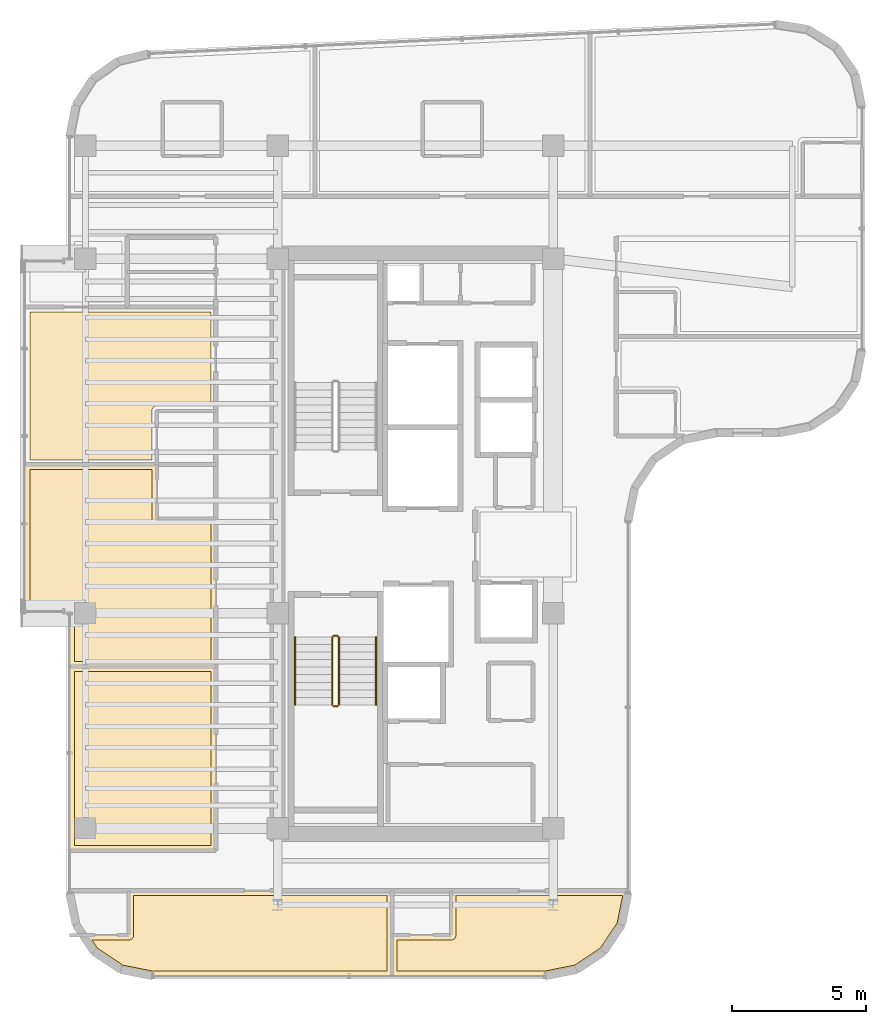
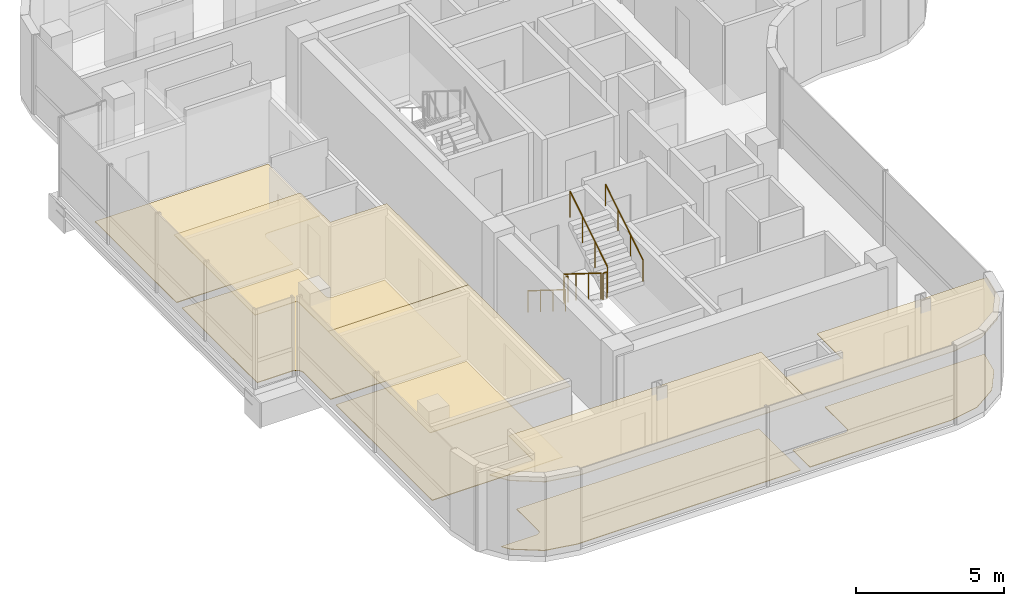
# One storey, part 18 of 20: 9 coverings, 6 railings.
"""IFC4 building model written with IfcOpenShell, lengths in metres."""

from ifc_helpers import new_model, si_unit, direction, frame, origin, origin_2d, place, context, subcontext, project, spatial, polyline, circle, outline, extrude, material, layer, layer_set, type_object, element, save


model = new_model("IFC4")

# Units and contexts
model_context = context("Model", 3, precision=1e-05, world=origin(), true_north=direction((0.0, 1.0)))
body_context = subcontext(model_context, "Body", "Model", "MODEL_VIEW")
ifc_project = project(units=[si_unit("LENGTHUNIT", "METRE"), si_unit("AREAUNIT", "SQUARE_METRE"), si_unit("VOLUMEUNIT", "CUBIC_METRE"), si_unit("PLANEANGLEUNIT", "RADIAN"), si_unit("MASSUNIT", "GRAM", prefix="KILO")], contexts=[model_context])

# Site, building, storey
site_placement = place(None, origin())
site = spatial("IfcSite", under=ifc_project, at=site_placement, CompositionType="ELEMENT")
building_placement = place(site_placement, origin())
building = spatial("IfcBuilding", under=site, at=building_placement, Name="Valdorenza Pilgrim Sanctuary Tower", CompositionType="ELEMENT")
storey_placement = place(building_placement, frame((0.0, 0.0, 240.5)))
storey = spatial("IfcBuildingStorey", under=building, at=storey_placement, Name="L62", CompositionType="ELEMENT", Elevation=240.5)

# Coverings
ifc_material_1 = material(Name="Micro-perforated acoustic mineral ceiling tile", Category="gypsum")
ifc_layer_1 = layer(ifc_material_1, 0.02490234375, Name="Micro-perforated acoustic mineral ceiling tile")
ifc_layer_set_1 = layer_set([ifc_layer_1], Name="Micro-perforated acoustic mineral ceiling tile")
covering_type_1 = type_object("IfcCoveringType", Name="COV-CLG-ACU", PredefinedType="CEILING", material=ifc_layer_set_1)
covering_1_placement = place(storey_placement, frame((0.0, 0.0, 2.9599609375)))
element("IfcCovering", 1, at=covering_1_placement, inside=storey, type_object=covering_type_1, Name="L62 Pilgrim Language Classroom L62 Acoustic Ceiling", PredefinedType="CEILING", context=body_context, shape_type="SweptSolid", body=[
    extrude(outline(polyline([(-24.93505859375, -11.419921875), (-24.93505859375, -11.42138671875), (-24.935302734375, -11.4228515625), (-24.935546875, -11.42431640625), (-24.93603515625, -11.42578125), (-24.936767578125, -11.427001953125), (-24.9375, -11.42822265625), (-24.9384765625, -11.429443359375), (-24.939453125, -11.4306640625), (-24.9404296875, -11.431640625), (-24.941650390625, -11.4326171875), (-24.94287109375, -11.43310546875), (-24.9443359375, -11.433837890625), (-24.945556640625, -11.434326171875), (-24.947021484375, -11.434814453125), (-24.948486328125, -11.434814453125), (-24.949951171875, -11.43505859375), (-30.389892578125, -11.43505859375), (-30.3916015625, -11.434814453125), (-30.392822265625, -11.434814453125), (-30.394287109375, -11.434326171875), (-30.395751953125, -11.433837890625), (-30.397216796875, -11.43310546875), (-30.398193359375, -11.4326171875), (-30.3994140625, -11.431640625), (-30.400634765625, -11.4306640625), (-30.401611328125, -11.429443359375), (-30.402587890625, -11.42822265625), (-30.4033203125, -11.427001953125), (-30.40380859375, -11.42578125), (-30.404296875, -11.42431640625), (-30.40478515625, -11.4228515625), (-30.40478515625, -11.42138671875), (-30.405029296875, -11.419921875), (-30.405029296875, -4.577880859375), (-30.40478515625, -4.576416015625), (-30.40478515625, -4.5751953125), (-30.404296875, -4.573486328125), (-30.40380859375, -4.572265625), (-30.4033203125, -4.57080078125), (-30.402587890625, -4.569580078125), (-30.401611328125, -4.568603515625), (-30.400634765625, -4.5673828125), (-30.3994140625, -4.56640625), (-30.398193359375, -4.5654296875), (-30.397216796875, -4.564697265625), (-30.395751953125, -4.564208984375), (-30.394287109375, -4.563720703125), (-30.392822265625, -4.563232421875), (-30.3916015625, -4.56298828125), (-30.389892578125, -4.56298828125), (-24.949951171875, -4.56298828125), (-24.948486328125, -4.56298828125), (-24.947021484375, -4.563232421875), (-24.945556640625, -4.563720703125), (-24.9443359375, -4.564208984375), (-24.94287109375, -4.564697265625), (-24.941650390625, -4.5654296875), (-24.9404296875, -4.56640625), (-24.939453125, -4.5673828125), (-24.9384765625, -4.568603515625), (-24.9375, -4.569580078125), (-24.936767578125, -4.57080078125), (-24.93603515625, -4.572265625), (-24.935546875, -4.573486328125), (-24.935302734375, -4.5751953125), (-24.93505859375, -4.576416015625), (-24.93505859375, -4.577880859375), (-24.93505859375, -11.419921875)])), origin(), (0.0, 0.0, 1.0), 0.025146484375),
])
covering_2_placement = place(storey_placement, frame((0.0, 0.0, 2.9599609375)))
element("IfcCovering", 2, at=covering_2_placement, inside=storey, type_object=covering_type_1, Name="L62 Pilgrim Guest Room L62-HW1 Acoustic Ceiling", PredefinedType="CEILING", context=body_context, shape_type="SweptSolid", body=[
    extrude(outline(polyline([(-30.405029296875, -2.600341796875), (-30.405517578125, -2.5908203125), (-30.40673828125, -2.58154296875), (-30.4091796875, -2.572509765625), (-30.412109375, -2.563720703125), (-30.416259765625, -2.55517578125), (-30.4208984375, -2.547119140625), (-30.426513671875, -2.539794921875), (-30.432861328125, -2.53271484375), (-30.439697265625, -2.526611328125), (-30.447265625, -2.52099609375), (-30.455078125, -2.51611328125), (-30.463623046875, -2.51220703125), (-30.472412109375, -2.509033203125), (-30.4814453125, -2.5068359375), (-30.49072265625, -2.505615234375), (-30.50048828125, -2.5048828125), (-32.0400390625, -2.5048828125), (-32.04150390625, -2.5048828125), (-32.04296875, -2.504638671875), (-32.04443359375, -2.50439453125), (-32.045654296875, -2.50390625), (-32.047119140625, -2.503173828125), (-32.04833984375, -2.50244140625), (-32.049560546875, -2.501708984375), (-32.050537109375, -2.50048828125), (-32.051513671875, -2.49951171875), (-32.052490234375, -2.498291015625), (-32.05322265625, -2.4970703125), (-32.053955078125, -2.49560546875), (-32.054443359375, -2.494384765625), (-32.0546875, -2.492919921875), (-32.054931640625, -2.491455078125), (-32.054931640625, -2.489990234375), (-32.054931640625, 2.93603515625), (-32.054931640625, 2.9375), (-32.0546875, 2.93896484375), (-32.054443359375, 2.9404296875), (-32.053955078125, 2.941650390625), (-32.05322265625, 2.943115234375), (-32.052490234375, 2.9443359375), (-32.051513671875, 2.945556640625), (-32.050537109375, 2.946533203125), (-32.049560546875, 2.947509765625), (-32.04833984375, 2.948486328125), (-32.047119140625, 2.94921875), (-32.045654296875, 2.949951171875), (-32.04443359375, 2.950439453125), (-32.04296875, 2.95068359375), (-32.04150390625, 2.950927734375), (-32.0400390625, 2.950927734375), (-27.152099609375, 2.950927734375), (-27.150390625, 2.950927734375), (-27.149169921875, 2.95068359375), (-27.147705078125, 2.950439453125), (-27.146240234375, 2.949951171875), (-27.14501953125, 2.94921875), (-27.143798828125, 2.948486328125), (-27.142578125, 2.947509765625), (-27.141357421875, 2.946533203125), (-27.140380859375, 2.945556640625), (-27.139404296875, 2.9443359375), (-27.138916015625, 2.943115234375), (-27.13818359375, 2.941650390625), (-27.1376953125, 2.9404296875), (-27.13720703125, 2.93896484375), (-27.13720703125, 2.9375), (-27.136962890625, 2.93603515625), (-27.136962890625, 0.948974609375), (-24.949951171875, 0.948974609375), (-24.948486328125, 0.948974609375), (-24.947021484375, 0.94873046875), (-24.945556640625, 0.948486328125), (-24.9443359375, 0.947998046875), (-24.94287109375, 0.947265625), (-24.941650390625, 0.946533203125), (-24.9404296875, 0.945556640625), (-24.939453125, 0.944580078125), (-24.9384765625, 0.943603515625), (-24.9375, 0.9423828125), (-24.936767578125, 0.941162109375), (-24.93603515625, 0.939697265625), (-24.935546875, 0.9384765625), (-24.935302734375, 0.93701171875), (-24.93505859375, 0.935546875), (-24.93505859375, 0.93408203125), (-24.93505859375, -4.575927734375), (-24.93505859375, -4.577392578125), (-24.935302734375, -4.578857421875), (-24.935546875, -4.580322265625), (-24.93603515625, -4.581787109375), (-24.936767578125, -4.5830078125), (-24.9375, -4.584228515625), (-24.9384765625, -4.58544921875), (-24.939453125, -4.586669921875), (-24.9404296875, -4.587646484375), (-24.941650390625, -4.58837890625), (-24.94287109375, -4.589111328125), (-24.9443359375, -4.58984375), (-24.945556640625, -4.59033203125), (-24.947021484375, -4.5908203125), (-24.948486328125, -4.5908203125), (-24.949951171875, -4.591064453125), (-30.389892578125, -4.591064453125), (-30.3916015625, -4.5908203125), (-30.392822265625, -4.5908203125), (-30.394287109375, -4.59033203125), (-30.395751953125, -4.58984375), (-30.397216796875, -4.589111328125), (-30.398193359375, -4.58837890625), (-30.3994140625, -4.587646484375), (-30.400634765625, -4.586669921875), (-30.401611328125, -4.58544921875), (-30.402587890625, -4.584228515625), (-30.4033203125, -4.5830078125), (-30.40380859375, -4.581787109375), (-30.404296875, -4.580322265625), (-30.40478515625, -4.578857421875), (-30.40478515625, -4.577392578125), (-30.405029296875, -4.575927734375), (-30.405029296875, -2.600341796875)])), origin(), (0.0, 0.0, 1.0), 0.025146484375),
])
covering_3_placement = place(storey_placement, frame((0.0, 0.0, 2.9599609375)))
element("IfcCovering", 3, at=covering_3_placement, inside=storey, type_object=covering_type_1, Name="L62 South Guest Room L62-S1 Acoustic Ceiling", PredefinedType="CEILING", context=body_context, shape_type="SweptSolid", body=[
    extrude(outline(polyline([(-28.202880859375, -14.556884765625), (-28.202880859375, -12.919921875), (-28.202880859375, -12.91845703125), (-28.20263671875, -12.9169921875), (-28.202392578125, -12.91552734375), (-28.201904296875, -12.914306640625), (-28.201171875, -12.912841796875), (-28.200439453125, -12.91162109375), (-28.19970703125, -12.910400390625), (-28.198486328125, -12.909423828125), (-28.197509765625, -12.908447265625), (-28.1962890625, -12.907470703125), (-28.195068359375, -12.90673828125), (-28.193603515625, -12.906005859375), (-28.1923828125, -12.905517578125), (-28.19091796875, -12.9052734375), (-28.189453125, -12.905029296875), (-28.18798828125, -12.905029296875), (-18.39990234375, -12.905029296875), (-18.3984375, -12.905029296875), (-18.397216796875, -12.9052734375), (-18.3955078125, -12.905517578125), (-18.394287109375, -12.906005859375), (-18.392822265625, -12.90673828125), (-18.3916015625, -12.907470703125), (-18.390380859375, -12.908447265625), (-18.389404296875, -12.909423828125), (-18.388427734375, -12.910400390625), (-18.387451171875, -12.91162109375), (-18.38671875, -12.912841796875), (-18.385986328125, -12.914306640625), (-18.385498046875, -12.91552734375), (-18.38525390625, -12.9169921875), (-18.385009765625, -12.91845703125), (-18.385009765625, -12.919921875), (-18.385009765625, -16.090087890625), (-18.385009765625, -16.091552734375), (-18.38525390625, -16.093017578125), (-18.385498046875, -16.094482421875), (-18.385986328125, -16.095703125), (-18.38671875, -16.09716796875), (-18.387451171875, -16.098388671875), (-18.388427734375, -16.099609375), (-18.389404296875, -16.1005859375), (-18.390380859375, -16.1015625), (-18.3916015625, -16.1025390625), (-18.392822265625, -16.103271484375), (-18.394287109375, -16.10400390625), (-18.3955078125, -16.1044921875), (-18.397216796875, -16.104736328125), (-18.3984375, -16.10498046875), (-18.39990234375, -16.10498046875), (-27.289306640625, -16.10498046875), (-27.29052734375, -16.10498046875), (-27.2919921875, -16.104736328125), (-28.484619140625, -15.867431640625), (-28.486083984375, -15.8671875), (-28.4873046875, -15.86669921875), (-28.48876953125, -15.865966796875), (-28.489990234375, -15.865234375), (-29.49169921875, -15.19580078125), (-29.492919921875, -15.195068359375), (-29.493896484375, -15.194091796875), (-29.4951171875, -15.19287109375), (-29.495849609375, -15.191650390625), (-29.904296875, -14.580322265625), (-29.9052734375, -14.5791015625), (-29.90576171875, -14.57763671875), (-29.90625, -14.576416015625), (-29.90673828125, -14.574951171875), (-29.906982421875, -14.573486328125), (-29.906982421875, -14.572021484375), (-29.906982421875, -14.570556640625), (-29.90673828125, -14.569091796875), (-29.90625, -14.567626953125), (-29.90576171875, -14.56640625), (-29.9052734375, -14.56494140625), (-29.904296875, -14.563720703125), (-29.903564453125, -14.5625), (-29.902587890625, -14.561279296875), (-29.901611328125, -14.560302734375), (-29.900390625, -14.5595703125), (-29.89892578125, -14.558837890625), (-29.897705078125, -14.55810546875), (-29.896240234375, -14.5576171875), (-29.89501953125, -14.557373046875), (-29.893310546875, -14.55712890625), (-29.89208984375, -14.556884765625), (-28.202880859375, -14.556884765625)])), origin(), (0.0, 0.0, 1.0), 0.025146484375),
])
covering_4_placement = place(storey_placement, frame((0.0, 0.0, 2.9599609375)))
element("IfcCovering", 4, at=covering_4_placement, inside=storey, type_object=covering_type_1, Name="L62 South Guest Room L62-S2 Acoustic Ceiling", PredefinedType="CEILING", context=body_context, shape_type="SweptSolid", body=[
    extrude(outline(polyline([(-16.212890625, -14.556884765625), (-16.212890625, -12.919921875), (-16.212890625, -12.91845703125), (-16.212646484375, -12.9169921875), (-16.21240234375, -12.91552734375), (-16.2119140625, -12.914306640625), (-16.211181640625, -12.912841796875), (-16.21044921875, -12.91162109375), (-16.209716796875, -12.910400390625), (-16.20849609375, -12.909423828125), (-16.20751953125, -12.908447265625), (-16.206298828125, -12.907470703125), (-16.205078125, -12.90673828125), (-16.20361328125, -12.906005859375), (-16.202392578125, -12.905517578125), (-16.200927734375, -12.9052734375), (-16.199462890625, -12.905029296875), (-16.197998046875, -12.905029296875), (-9.610107421875, -12.905029296875), (-9.6083984375, -12.905029296875), (-9.607177734375, -12.9052734375), (-9.605712890625, -12.905517578125), (-9.604248046875, -12.906005859375), (-9.602783203125, -12.90673828125), (-9.601806640625, -12.907470703125), (-9.6005859375, -12.908447265625), (-9.599365234375, -12.909423828125), (-9.598388671875, -12.910400390625), (-9.597412109375, -12.91162109375), (-9.5966796875, -12.912841796875), (-9.59619140625, -12.914306640625), (-9.595703125, -12.91552734375), (-9.59521484375, -12.9169921875), (-9.59521484375, -12.91845703125), (-9.594970703125, -12.919921875), (-9.594970703125, -12.9892578125), (-9.59521484375, -12.990478515625), (-9.59521484375, -12.9921875), (-9.83251953125, -14.1845703125), (-9.8330078125, -14.18603515625), (-9.83349609375, -14.1875), (-9.833984375, -14.188720703125), (-9.834716796875, -14.18994140625), (-10.504150390625, -15.191650390625), (-10.5048828125, -15.19287109375), (-10.506103515625, -15.194091796875), (-10.507080078125, -15.195068359375), (-10.50830078125, -15.19580078125), (-11.510009765625, -15.865234375), (-11.51123046875, -15.865966796875), (-11.5126953125, -15.86669921875), (-11.513916015625, -15.8671875), (-11.515380859375, -15.867431640625), (-12.7080078125, -16.104736328125), (-12.70947265625, -16.10498046875), (-12.710693359375, -16.10498046875), (-18.39794921875, -16.10498046875), (-18.3994140625, -16.10498046875), (-18.40087890625, -16.104736328125), (-18.40234375, -16.1044921875), (-18.40380859375, -16.10400390625), (-18.405029296875, -16.103271484375), (-18.40625, -16.1025390625), (-18.407470703125, -16.1015625), (-18.40869140625, -16.1005859375), (-18.40966796875, -16.099609375), (-18.410400390625, -16.098388671875), (-18.4111328125, -16.09716796875), (-18.411865234375, -16.095703125), (-18.412353515625, -16.094482421875), (-18.41259765625, -16.093017578125), (-18.412841796875, -16.091552734375), (-18.4130859375, -16.090087890625), (-18.4130859375, -14.572021484375), (-18.412841796875, -14.570556640625), (-18.41259765625, -14.569091796875), (-18.412353515625, -14.567626953125), (-18.411865234375, -14.56640625), (-18.4111328125, -14.56494140625), (-18.410400390625, -14.563720703125), (-18.40966796875, -14.5625), (-18.40869140625, -14.561279296875), (-18.407470703125, -14.560302734375), (-18.40625, -14.5595703125), (-18.405029296875, -14.558837890625), (-18.40380859375, -14.55810546875), (-18.40234375, -14.5576171875), (-18.40087890625, -14.557373046875), (-18.3994140625, -14.55712890625), (-18.39794921875, -14.556884765625), (-16.212890625, -14.556884765625)])), origin(), (0.0, 0.0, 1.0), 0.025146484375),
])
ifc_material_2 = material(Name="Engineered European oak timber flooring", Category="wood")
ifc_layer_2 = layer(ifc_material_2, 0.02197265625, Name="Engineered European oak timber flooring")
ifc_layer_set_2 = layer_set([ifc_layer_2], Name="Engineered European oak timber flooring")
covering_type_2 = type_object("IfcCoveringType", Name="COV-FLR-OAK", PredefinedType="FLOORING", material=ifc_layer_set_2)
covering_5_placement = place(storey_placement, origin())
element("IfcCovering", 5, at=covering_5_placement, inside=storey, type_object=covering_type_2, Name="L62 Pilgrim Language Classroom L62 Flooring", PredefinedType="FLOORING", context=body_context, shape_type="SweptSolid", body=[
    extrude(outline(polyline([(-25.1298828125, -11.239990234375), (-30.2099609375, -11.239990234375), (-30.2099609375, -4.758056640625), (-25.1298828125, -4.758056640625), (-25.1298828125, -11.239990234375)])), origin(), (0.0, 0.0, 1.0), 0.02490234375),
])
covering_6_placement = place(storey_placement, origin())
element("IfcCovering", 6, at=covering_6_placement, inside=storey, type_object=covering_type_2, Name="L62 Pilgrim Guest Room L62-HW1 Flooring", PredefinedType="FLOORING", context=body_context, shape_type="SweptSolid", body=[
    extrude(outline(polyline([(-30.2099609375, -2.60009765625), (-30.210205078125, -2.59130859375), (-30.210693359375, -2.580322265625), (-30.21240234375, -2.562744140625), (-30.214111328125, -2.552001953125), (-30.217529296875, -2.534912109375), (-30.22021484375, -2.5244140625), (-30.225341796875, -2.50732421875), (-30.22900390625, -2.497314453125), (-30.235595703125, -2.48095703125), (-30.240234375, -2.47119140625), (-30.24853515625, -2.45556640625), (-30.254150390625, -2.4462890625), (-30.263916015625, -2.431640625), (-30.2705078125, -2.423095703125), (-30.281494140625, -2.4091796875), (-30.288818359375, -2.4013671875), (-30.30126953125, -2.388916015625), (-30.309326171875, -2.381591796875), (-30.322998046875, -2.370361328125), (-30.331787109375, -2.364013671875), (-30.34619140625, -2.35400390625), (-30.355712890625, -2.3486328125), (-30.37109375, -2.34033203125), (-30.380859375, -2.335693359375), (-30.397216796875, -2.328857421875), (-30.407470703125, -2.3251953125), (-30.42431640625, -2.320068359375), (-30.434814453125, -2.3173828125), (-30.4521484375, -2.314208984375), (-30.462890625, -2.3125), (-30.48046875, -2.310791015625), (-30.4912109375, -2.310302734375), (-30.5, -2.31005859375), (-31.860107421875, -2.31005859375), (-31.860107421875, 2.756103515625), (-27.33203125, 2.756103515625), (-27.33203125, 0.93603515625), (-27.331787109375, 0.92724609375), (-27.331787109375, 0.927001953125), (-27.330078125, 0.909423828125), (-27.330078125, 0.9091796875), (-27.32666015625, 0.891845703125), (-27.326416015625, 0.8916015625), (-27.3212890625, 0.874755859375), (-27.3212890625, 0.87451171875), (-27.314697265625, 0.8583984375), (-27.314453125, 0.858154296875), (-27.30615234375, 0.842529296875), (-27.30615234375, 0.84228515625), (-27.296142578125, 0.82763671875), (-27.296142578125, 0.827392578125), (-27.284912109375, 0.81396484375), (-27.284912109375, 0.813720703125), (-27.272216796875, 0.80126953125), (-27.272216796875, 0.801025390625), (-27.258544921875, 0.789794921875), (-27.25830078125, 0.789794921875), (-27.24365234375, 0.77978515625), (-27.243408203125, 0.77978515625), (-27.227783203125, 0.771484375), (-27.227783203125, 0.771484375), (-27.21142578125, 0.7646484375), (-27.211181640625, 0.7646484375), (-27.1943359375, 0.759521484375), (-27.194091796875, 0.759521484375), (-27.1767578125, 0.756103515625), (-27.176513671875, 0.756103515625), (-27.158935546875, 0.754150390625), (-27.15869140625, 0.754150390625), (-27.14990234375, 0.75390625), (-25.1298828125, 0.75390625), (-25.1298828125, -4.39599609375), (-30.2099609375, -4.39599609375), (-30.2099609375, -2.60009765625)])), origin(), (0.0, 0.0, 1.0), 0.02490234375),
])
covering_7_placement = place(storey_placement, origin())
element("IfcCovering", 7, at=covering_7_placement, inside=storey, type_object=covering_type_2, Name="L62 Pilgrim Guest Room L62-HW2 Flooring", PredefinedType="FLOORING", context=body_context, shape_type="SweptSolid", body=[
    extrude(outline(polyline([(-28.250244140625, 8.617919921875), (-28.25, 8.617919921875), (-25.1298828125, 8.617919921875), (-25.1298828125, 5.117919921875), (-27.14990234375, 5.117919921875), (-27.15869140625, 5.117919921875), (-27.158935546875, 5.117919921875), (-27.176513671875, 5.115966796875), (-27.1767578125, 5.115966796875), (-27.194091796875, 5.112548828125), (-27.1943359375, 5.112548828125), (-27.211181640625, 5.107421875), (-27.21142578125, 5.107421875), (-27.227783203125, 5.1005859375), (-27.227783203125, 5.1005859375), (-27.243408203125, 5.09228515625), (-27.24365234375, 5.092041015625), (-27.25830078125, 5.082275390625), (-27.258544921875, 5.08203125), (-27.272216796875, 5.07080078125), (-27.272216796875, 5.07080078125), (-27.284912109375, 5.058349609375), (-27.284912109375, 5.05810546875), (-27.296142578125, 5.04443359375), (-27.296142578125, 5.044189453125), (-27.30615234375, 5.029541015625), (-27.30615234375, 5.029541015625), (-27.314453125, 5.013916015625), (-27.314697265625, 5.013671875), (-27.3212890625, 4.997314453125), (-27.3212890625, 4.997314453125), (-27.326416015625, 4.980224609375), (-27.32666015625, 4.97998046875), (-27.330078125, 4.962890625), (-27.330078125, 4.962646484375), (-27.331787109375, 4.945068359375), (-27.331787109375, 4.94482421875), (-27.33203125, 4.93603515625), (-27.33203125, 3.117919921875), (-31.860107421875, 3.117919921875), (-31.860107421875, 8.617919921875), (-28.251953125, 8.617919921875), (-28.2509765625, 8.617919921875), (-28.250244140625, 8.617919921875)])), origin(), (0.0, 0.0, 1.0), 0.02490234375),
])
covering_8_placement = place(storey_placement, origin())
element("IfcCovering", 8, at=covering_8_placement, inside=storey, type_object=covering_type_2, Name="L62 South Guest Room L62-S1 Flooring", PredefinedType="FLOORING", context=body_context, shape_type="SweptSolid", body=[
    extrude(outline(polyline([(-27.271484375, -15.909912109375), (-28.411376953125, -15.68310546875), (-29.353515625, -15.0537109375), (-29.55517578125, -14.751953125), (-28.18994140625, -14.751953125), (-28.18115234375, -14.751708984375), (-28.180908203125, -14.751708984375), (-28.163330078125, -14.75), (-28.1630859375, -14.75), (-28.14599609375, -14.74658203125), (-28.145751953125, -14.74658203125), (-28.12890625, -14.741455078125), (-28.128662109375, -14.7412109375), (-28.1123046875, -14.734619140625), (-28.112060546875, -14.734619140625), (-28.096435546875, -14.726318359375), (-28.096435546875, -14.72607421875), (-28.081787109375, -14.71630859375), (-28.08154296875, -14.716064453125), (-28.06787109375, -14.704833984375), (-28.067626953125, -14.704833984375), (-28.05517578125, -14.6923828125), (-28.05517578125, -14.692138671875), (-28.0439453125, -14.678466796875), (-28.043701171875, -14.67822265625), (-28.033935546875, -14.66357421875), (-28.03369140625, -14.66357421875), (-28.025390625, -14.64794921875), (-28.025390625, -14.647705078125), (-28.018798828125, -14.63134765625), (-28.0185546875, -14.631103515625), (-28.013427734375, -14.6142578125), (-28.013427734375, -14.614013671875), (-28.010009765625, -14.5966796875), (-28.010009765625, -14.5966796875), (-28.00830078125, -14.5791015625), (-28.00830078125, -14.578857421875), (-28.008056640625, -14.570068359375), (-28.008056640625, -13.10009765625), (-18.580078125, -13.10009765625), (-18.580078125, -15.909912109375), (-27.271484375, -15.909912109375)])), origin(), (0.0, 0.0, 1.0), 0.02490234375),
])
covering_9_placement = place(storey_placement, origin())
element("IfcCovering", 9, at=covering_9_placement, inside=storey, type_object=covering_type_2, Name="L62 South Guest Room L62-S2 Flooring", PredefinedType="FLOORING", context=body_context, shape_type="SweptSolid", body=[
    extrude(outline(polyline([(-10.016845703125, -14.111328125), (-10.646484375, -15.0537109375), (-11.588623046875, -15.68310546875), (-12.728515625, -15.909912109375), (-18.218017578125, -15.909912109375), (-18.218017578125, -14.751953125), (-16.199951171875, -14.751953125), (-16.191162109375, -14.751708984375), (-16.19091796875, -14.751708984375), (-16.17333984375, -14.75), (-16.173095703125, -14.75), (-16.156005859375, -14.74658203125), (-16.15576171875, -14.74658203125), (-16.138916015625, -14.741455078125), (-16.138671875, -14.7412109375), (-16.122314453125, -14.734619140625), (-16.1220703125, -14.734619140625), (-16.1064453125, -14.726318359375), (-16.1064453125, -14.72607421875), (-16.091796875, -14.71630859375), (-16.091552734375, -14.716064453125), (-16.077880859375, -14.704833984375), (-16.07763671875, -14.704833984375), (-16.065185546875, -14.6923828125), (-16.065185546875, -14.692138671875), (-16.053955078125, -14.678466796875), (-16.0537109375, -14.67822265625), (-16.0439453125, -14.66357421875), (-16.043701171875, -14.66357421875), (-16.035400390625, -14.64794921875), (-16.035400390625, -14.647705078125), (-16.02880859375, -14.63134765625), (-16.028564453125, -14.631103515625), (-16.0234375, -14.6142578125), (-16.0234375, -14.614013671875), (-16.02001953125, -14.5966796875), (-16.02001953125, -14.5966796875), (-16.018310546875, -14.5791015625), (-16.018310546875, -14.578857421875), (-16.01806640625, -14.570068359375), (-16.01806640625, -13.10009765625), (-9.815673828125, -13.10009765625), (-10.016845703125, -14.111328125)])), origin(), (0.0, 0.0, 1.0), 0.02490234375),
])

# Railings
ifc_material_3 = material(Name="Stainless steel Grade 316", Category="steel")
railing_type_1 = type_object("IfcRailingType", Name="RLG-GRD-1120", PredefinedType="GUARDRAIL", material=ifc_material_3)
railing_1_placement = place(storey_placement, frame((-20.6201171875, -3.47998046875, 0.175048828125)))
element("IfcRailing", 10, at=railing_1_placement, inside=storey, type_object=railing_type_1, Name="L62 ST-A2 stair guard 1", PredefinedType="GUARDRAIL", context=body_context, shape_type="SweptSolid", body=[
    extrude(circle(Radius=0.02392578125, at=origin_2d()), frame((0.0, 0.0, 1.076171875), z_axis=(0.0, -0.848007534815, 0.529984170421), x_axis=(1.0, 0.0, 0.0)), (0.0, 0.0, 1.0), 2.9716796875),
    extrude(circle(Radius=0.02099609375, at=origin_2d()), origin(), (0.0, 0.0, 1.0), 1.052001953125),
    extrude(circle(Radius=0.02099609375, at=origin_2d()), frame((0.0, -0.840087890625, 0.52490234375)), (0.0, 0.0, 1.0), 1.052001953125),
    extrude(circle(Radius=0.02099609375, at=origin_2d()), frame((0.0, -1.679931640625, 1.050048828125)), (0.0, 0.0, 1.0), 1.052001953125),
    extrude(circle(Radius=0.02099609375, at=origin_2d()), frame((0.0, -2.52001953125, 1.574951171875)), (0.0, 0.0, 1.0), 1.052001953125),
])
railing_2_placement = place(storey_placement, frame((-20.570068359375, -6.050048828125, 1.75)))
element("IfcRailing", 11, at=railing_2_placement, inside=storey, type_object=railing_type_1, Name="L62 ST-A2 stair guard 2", PredefinedType="GUARDRAIL", context=body_context, shape_type="SweptSolid", body=[
    extrude(circle(Radius=0.02392578125, at=origin_2d()), frame((0.0, 0.0, 1.076171875), z_axis=(1.0, 0.0, 0.0), x_axis=(0.0, 1.0, 0.0)), (0.0, 0.0, 1.0), 0.150146484375),
    extrude(circle(Radius=0.02099609375, at=origin_2d()), origin(), (0.0, 0.0, 1.0), 1.052001953125),
    extrude(circle(Radius=0.02099609375, at=origin_2d()), frame((0.150146484375, 0.0, 0.0)), (0.0, 0.0, 1.0), 1.052001953125),
])
railing_3_placement = place(storey_placement, frame((-20.3701171875, -6.0, 1.925048828125)))
element("IfcRailing", 12, at=railing_3_placement, inside=storey, type_object=railing_type_1, Name="L62 ST-A2 stair guard 3", PredefinedType="GUARDRAIL", context=body_context, shape_type="SweptSolid", body=[
    extrude(circle(Radius=0.02392578125, at=origin_2d()), frame((0.0, 0.0, 1.076171875), z_axis=(0.0, 0.848007534815, 0.529984170421), x_axis=(-1.0, 0.0, 0.0)), (0.0, 0.0, 1.0), 2.9716796875),
    extrude(circle(Radius=0.02099609375, at=origin_2d()), origin(), (0.0, 0.0, 1.0), 1.052001953125),
    extrude(circle(Radius=0.02099609375, at=origin_2d()), frame((0.0, 0.840087890625, 0.52490234375)), (0.0, 0.0, 1.0), 1.052001953125),
    extrude(circle(Radius=0.02099609375, at=origin_2d()), frame((0.0, 1.679931640625, 1.050048828125)), (0.0, 0.0, 1.0), 1.052001953125),
    extrude(circle(Radius=0.02099609375, at=origin_2d()), frame((0.0, 2.52001953125, 1.574951171875)), (0.0, 0.0, 1.0), 1.052001953125),
])
railing_4_placement = place(storey_placement, frame((-20.570068359375, -3.429931640625, 0.0)))
element("IfcRailing", 13, at=railing_4_placement, inside=storey, type_object=railing_type_1, Name="L62 ST-A2 stair guard 4", PredefinedType="GUARDRAIL", context=body_context, shape_type="SweptSolid", body=[
    extrude(circle(Radius=0.02392578125, at=origin_2d()), frame((0.0, 0.0, 1.076171875), z_axis=(1.0, 0.0, 0.0), x_axis=(0.0, 1.0, 0.0)), (0.0, 0.0, 1.0), 0.150146484375),
    extrude(circle(Radius=0.02099609375, at=origin_2d()), origin(), (0.0, 0.0, 1.0), 1.052001953125),
    extrude(circle(Radius=0.02099609375, at=origin_2d()), frame((0.150146484375, 0.0, 0.0)), (0.0, 0.0, 1.0), 1.052001953125),
])
ifc_material_4 = material(Name="Brushed stainless steel Grade 316", Category="steel")
railing_type_2 = type_object("IfcRailingType", Name="RLG-HND-920", PredefinedType="HANDRAIL", material=ifc_material_4)
railing_5_placement = place(storey_placement, frame((-22.0, -3.47998046875, 0.175048828125)))
element("IfcRailing", 14, at=railing_5_placement, inside=storey, type_object=railing_type_2, Name="L62 ST-A2 stair handrail 1", PredefinedType="HANDRAIL", context=body_context, shape_type="SweptSolid", body=[
    extrude(circle(Radius=0.02392578125, at=origin_2d()), frame((0.0, 0.0, 0.8759765625), z_axis=(0.0, -0.848007534815, 0.529984170421), x_axis=(1.0, 0.0, 0.0)), (0.0, 0.0, 1.0), 2.9716796875),
    extrude(circle(Radius=0.02099609375, at=origin_2d()), origin(), (0.0, 0.0, 1.0), 0.851806640625),
    extrude(circle(Radius=0.02099609375, at=origin_2d()), frame((0.0, -0.840087890625, 0.52490234375)), (0.0, 0.0, 1.0), 0.851806640625),
    extrude(circle(Radius=0.02099609375, at=origin_2d()), frame((0.0, -1.679931640625, 1.050048828125)), (0.0, 0.0, 1.0), 0.851806640625),
    extrude(circle(Radius=0.02099609375, at=origin_2d()), frame((0.0, -2.52001953125, 1.574951171875)), (0.0, 0.0, 1.0), 0.851806640625),
])
railing_6_placement = place(storey_placement, frame((-18.989990234375, -6.0, 1.925048828125)))
element("IfcRailing", 15, at=railing_6_placement, inside=storey, type_object=railing_type_2, Name="L62 ST-A2 stair handrail 2", PredefinedType="HANDRAIL", context=body_context, shape_type="SweptSolid", body=[
    extrude(circle(Radius=0.02392578125, at=origin_2d()), frame((0.0, 0.0, 0.8759765625), z_axis=(0.0, 0.848007534815, 0.529984170421), x_axis=(-1.0, 0.0, 0.0)), (0.0, 0.0, 1.0), 2.9716796875),
    extrude(circle(Radius=0.02099609375, at=origin_2d()), origin(), (0.0, 0.0, 1.0), 0.851806640625),
    extrude(circle(Radius=0.02099609375, at=origin_2d()), frame((0.0, 0.840087890625, 0.52490234375)), (0.0, 0.0, 1.0), 0.851806640625),
    extrude(circle(Radius=0.02099609375, at=origin_2d()), frame((0.0, 1.679931640625, 1.050048828125)), (0.0, 0.0, 1.0), 0.851806640625),
    extrude(circle(Radius=0.02099609375, at=origin_2d()), frame((0.0, 2.52001953125, 1.574951171875)), (0.0, 0.0, 1.0), 0.851806640625),
])

save(model, "model.ifc")
